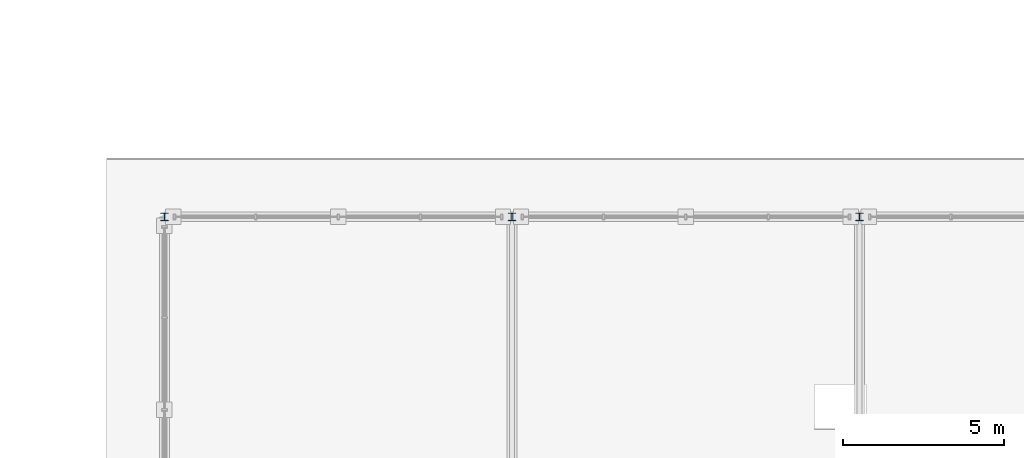
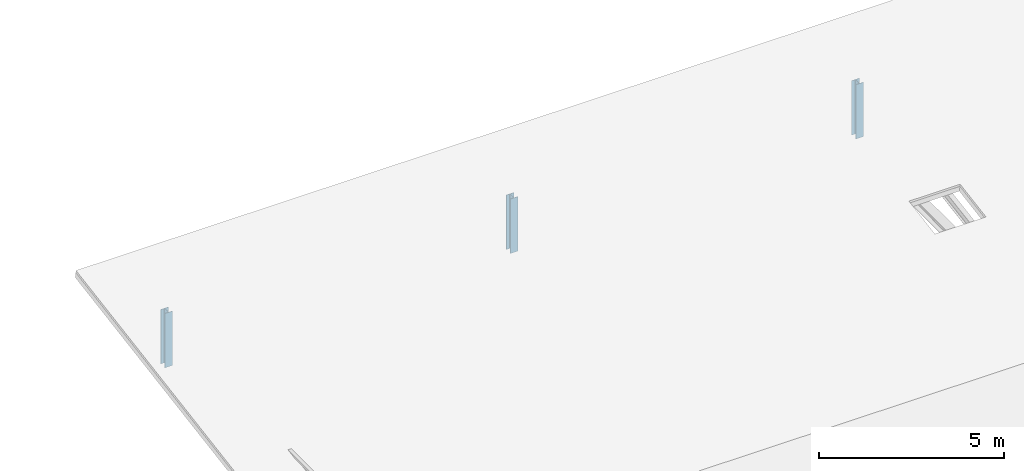
# One storey, part 18 of 117: 3 columns.
"""IFC4 building model written with IfcOpenShell, lengths in metres."""

from ifc_helpers import new_model, si_unit, direction, frame, origin, origin_2d, place, context, subcontext, project, spatial, i_section, extrude, material, material_profile, profile_set, type_object, element, save


model = new_model("IFC4")

# Units and contexts
model_context = context("Model", 3, precision=1e-05, world=origin(), true_north=direction((0.0, 1.0)))
body_context = subcontext(model_context, "Body", "Model", "MODEL_VIEW")
ifc_project = project(units=[si_unit("LENGTHUNIT", "METRE"), si_unit("AREAUNIT", "SQUARE_METRE"), si_unit("VOLUMEUNIT", "CUBIC_METRE"), si_unit("PLANEANGLEUNIT", "RADIAN"), si_unit("MASSUNIT", "GRAM", prefix="KILO")], contexts=[model_context])

# Site, building, storey
site_placement = place(None, origin())
site = spatial("IfcSite", under=ifc_project, at=site_placement, CompositionType="ELEMENT")
building_placement = place(site_placement, origin())
building = spatial("IfcBuilding", under=site, at=building_placement, Name="Merenkruunu Market Hall", CompositionType="ELEMENT")
storey_placement = place(building_placement, frame((0.0, 0.0, 10.199951171875)))
storey = spatial("IfcBuildingStorey", under=building, at=storey_placement, Name="L02", CompositionType="ELEMENT", Elevation=10.199951171875)

# Columns
ifc_material = material(Name="Steel S355J2", Category="steel")
ifc_material_profile = material_profile(ifc_material, i_section(OverallWidth=0.239990234375, OverallDepth=0.22998046875, WebThickness=0.007568359375, FlangeThickness=0.011962890625, FilletRadius=0.02099609375, at=origin_2d()), Name="HEA 240")
ifc_profile_set = profile_set([ifc_material_profile], Name="Steel S355J2")
column_type = type_object("IfcColumnType", Name="Structural Column C10", PredefinedType="COLUMN", material=ifc_profile_set)
for number, where, z_axis, x_axis, name in (
    (1, (148.800048828125, 63.60009765625, 0.0), (0.0, 0.0, 1.0), (1.0, 0.0, 0.0), "COL-V3BF-N-149"),
    (2, (159.60009765625, 63.60009765625, 0.0), (0.0, 0.0, 1.0), (1.0, 0.0, 0.0), "COL-V3BF-N-160"),
    (3, (170.39990234375, 63.60009765625, 0.0), (0.0, 0.0, 1.0), (1.0, 0.0, 0.0), "COL-V3BF-N-170"),
):
    element("IfcColumn", number, at=place(storey_placement, frame(where, z_axis=z_axis, x_axis=x_axis)), inside=storey, type_object=column_type, Name=name, PredefinedType="COLUMN", context=body_context, shape_type="SweptSolid", body=[
        extrude(i_section(OverallWidth=0.239990234375, OverallDepth=0.22998046875, WebThickness=0.007568359375, FlangeThickness=0.011962890625, FilletRadius=0.02099609375, at=origin_2d()), origin(), (0.0, 0.0, 1.0), 1.800048828125),
    ])

save(model, "model.ifc")
